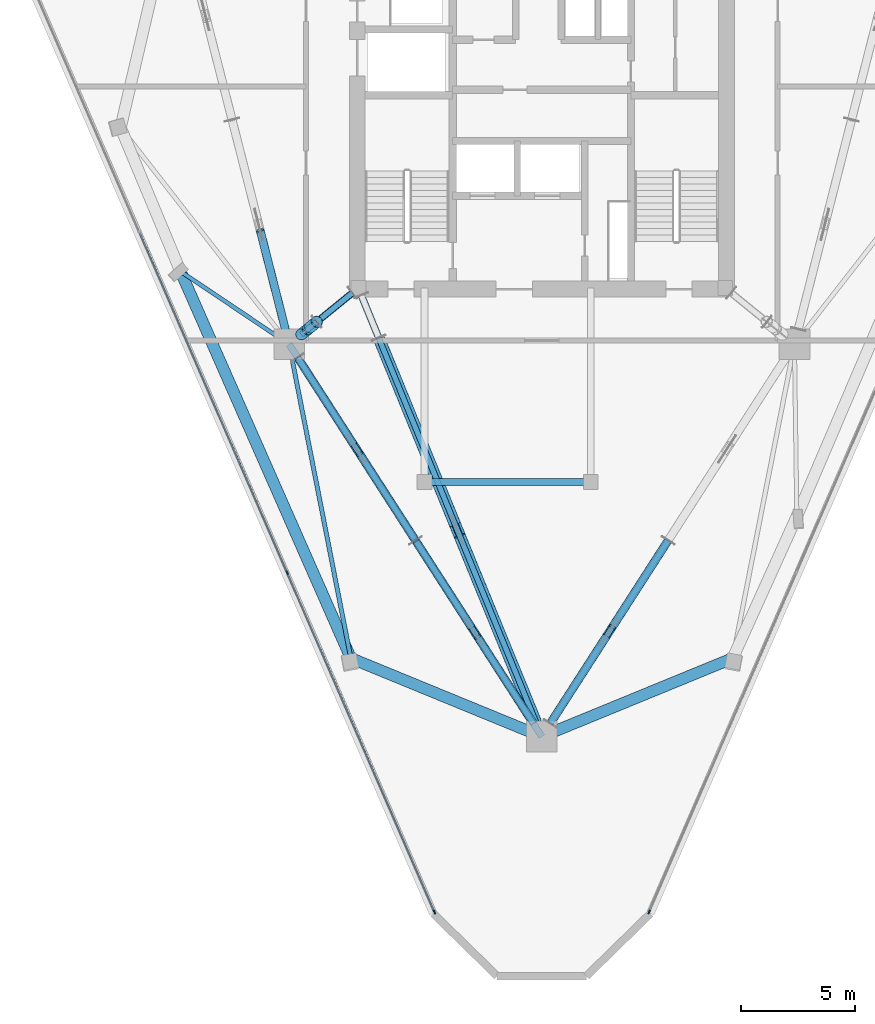
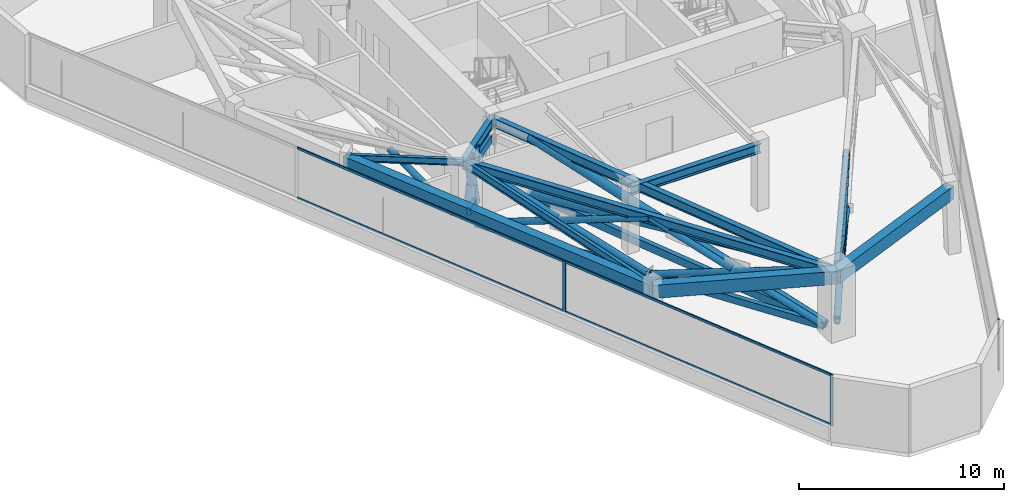
# One storey, part 2 of 12: 35 members, 9 beams, 2 elements without a shape of their own.
"""IFC4 building model written with IfcOpenShell, lengths in metres."""

from ifc_helpers import new_model, si_unit, direction, frame, origin, origin_2d, place, context, subcontext, project, spatial, rectangle, hollow_rectangle, hollow_circle, i_section, extrude, material, layer, layer_set, material_profile, profile_set, type_object, element, aggregate, save


model = new_model("IFC4")

# Units and contexts
model_context = context("Model", 3, precision=1e-05, world=origin(), true_north=direction((0.0, 1.0)))
body_context = subcontext(model_context, "Body", "Model", "MODEL_VIEW")
ifc_project = project(units=[si_unit("LENGTHUNIT", "METRE"), si_unit("AREAUNIT", "SQUARE_METRE"), si_unit("VOLUMEUNIT", "CUBIC_METRE"), si_unit("PLANEANGLEUNIT", "RADIAN"), si_unit("MASSUNIT", "GRAM", prefix="KILO")], contexts=[model_context])

# Site, building, storey
site_placement = place(None, origin())
site = spatial("IfcSite", under=ifc_project, at=site_placement, CompositionType="ELEMENT")
building_placement = place(site_placement, origin())
building = spatial("IfcBuilding", under=site, at=building_placement, Name="Talyreon Biosciences Tower", CompositionType="ELEMENT")
storey_placement = place(building_placement, frame((0.0, 0.0, 223.199951171875)))
storey = spatial("IfcBuildingStorey", under=building, at=storey_placement, Name="L59", CompositionType="ELEMENT", Elevation=223.199951171875)

# Members
ifc_material_1 = material(Name="Steel SM355", Category="steel")
ifc_material_profile_1 = material_profile(ifc_material_1, hollow_circle(Radius=0.177734375, WallThickness=0.01416015625, at=origin_2d()), Name="CHS 355.6x14.2")
ifc_profile_set_1 = profile_set([ifc_material_profile_1], Name="Steel SM355")
member_type_1 = type_object("IfcMemberType", Name="BeltBrace_CHS355", PredefinedType="BRACE", material=ifc_profile_set_1)
member_1_placement = place(storey_placement, frame((66.370849609375, 42.242919921875, 0.239990234375), z_axis=(0.51079794954, 0.793079757961, 0.3318281969), x_axis=(-0.840714795455, 0.541478192269, 0.0)))
element("IfcMember", 1, at=member_1_placement, inside=storey, type_object=member_type_1, Name="L59 Continuous Diagonal BELT-L59-B1S1A", PredefinedType="BRACE", context=body_context, shape_type="SweptSolid", body=[
    extrude(hollow_circle(Radius=0.177734375, WallThickness=0.01416015625, at=origin_2d()), origin(), (0.0, 0.0, 1.0), 10.1259765625),
])
for number, where, z_axis, x_axis, name in (
    (2, (71.543212890625, 50.273681640625, 0.239990234375), (-0.51079967438, -0.793074302073, 0.331838581308), (0.840712267338, -0.541482117478, 0.0), "L59 Split Diagonal BELT-L59-B1S1B-Lower"),
    (3, (68.81396484375, 46.0361328125, 2.012939453125), (-0.51079967438, -0.793074302073, 0.331838581308), (0.840712267338, -0.541482117478, 0.0), "L59 Split Diagonal BELT-L59-B1S1B-Upper"),
):
    element("IfcMember", number, at=place(storey_placement, frame(where, z_axis=z_axis, x_axis=x_axis)), inside=storey, type_object=member_type_1, Name=name, PredefinedType="BRACE", context=body_context, shape_type="SweptSolid", body=[
        extrude(hollow_circle(Radius=0.177734375, WallThickness=0.01416015625, at=origin_2d()), origin(), (0.0, 0.0, 1.0), 4.782958984375),
    ])
member_2_placement = place(storey_placement, frame((54.744873046875, 59.544189453125, 0.239990234375), z_axis=(-0.232390170682, 0.913533774404, 0.333842555097), x_axis=(-0.969134113213, -0.246534116519, 0.0)))
element("IfcMember", 4, at=member_2_placement, inside=storey, type_object=member_type_1, Name="L59 Split Diagonal BELT-L59-B5S2B-Lower", PredefinedType="BRACE", context=body_context, shape_type="SweptSolid", body=[
    extrude(hollow_circle(Radius=0.177734375, WallThickness=0.01416015625, at=origin_2d()), origin(), (0.0, 0.0, 1.0), 4.752685546875),
])
member_3_placement = place(storey_placement, frame((55.28466796875, 58.304443359375, 0.239990234375), z_axis=(0.510780129739, -0.793089525024, 0.331832283483), x_axis=(0.840726430295, 0.541460127251, 0.0)))
element("IfcMember", 5, at=member_3_placement, inside=storey, type_object=member_type_1, Name="L59 Continuous Diagonal BELT-L59-B6S1A", PredefinedType="BRACE", context=body_context, shape_type="SweptSolid", body=[
    extrude(hollow_circle(Radius=0.177734375, WallThickness=0.01416015625, at=origin_2d()), origin(), (0.0, 0.0, 1.0), 10.1259765625),
])
member_4_placement = place(storey_placement, frame((60.456787109375, 50.273681640625, 0.239990234375), z_axis=(-0.510761946942, 0.793094979976, 0.331847233367), x_axis=(-0.840736899873, -0.541443870768, 0.0)))
element("IfcMember", 6, at=member_4_placement, inside=storey, type_object=member_type_1, Name="L59 Split Diagonal BELT-L59-B6S1B-Lower", PredefinedType="BRACE", context=body_context, shape_type="SweptSolid", body=[
    extrude(hollow_circle(Radius=0.177734375, WallThickness=0.01416015625, at=origin_2d()), origin(), (0.0, 0.0, 1.0), 4.78271484375),
])
member_5_placement = place(storey_placement, frame((57.727783203125, 54.51123046875, 2.012939453125), z_axis=(-0.51079967438, 0.793074302073, 0.331838581308), x_axis=(-0.840712267338, -0.541482117478, 0.0)))
element("IfcMember", 7, at=member_5_placement, inside=storey, type_object=member_type_1, Name="L59 Split Diagonal BELT-L59-B6S1B-Upper", PredefinedType="BRACE", context=body_context, shape_type="SweptSolid", body=[
    extrude(hollow_circle(Radius=0.177734375, WallThickness=0.01416015625, at=origin_2d()), origin(), (0.0, 0.0, 1.0), 4.782958984375),
])
member_6_placement = place(storey_placement, frame((60.456787109375, 50.273681640625, 0.239990234375), z_axis=(0.51079794954, -0.793079757961, 0.3318281969), x_axis=(0.840714795455, 0.541478192269, 0.0)))
element("IfcMember", 8, at=member_6_placement, inside=storey, type_object=member_type_1, Name="L59 Continuous Diagonal BELT-L59-B6S2A", PredefinedType="BRACE", context=body_context, shape_type="SweptSolid", body=[
    extrude(hollow_circle(Radius=0.177734375, WallThickness=0.01416015625, at=origin_2d()), origin(), (0.0, 0.0, 1.0), 10.1259765625),
])
for number, where, z_axis, x_axis, name in (
    (9, (65.629150390625, 42.242919921875, 0.239990234375), (-0.51079967438, 0.793074302073, 0.331838581308), (-0.840712267338, -0.541482117478, 0.0), "L59 Split Diagonal BELT-L59-B6S2B-Lower"),
    (10, (62.89990234375, 46.48046875, 2.012939453125), (-0.51079967438, 0.793074302073, 0.331838581308), (-0.840712267338, -0.541482117478, 0.0), "L59 Split Diagonal BELT-L59-B6S2B-Upper"),
):
    element("IfcMember", number, at=place(storey_placement, frame(where, z_axis=z_axis, x_axis=x_axis)), inside=storey, type_object=member_type_1, Name=name, PredefinedType="BRACE", context=body_context, shape_type="SweptSolid", body=[
        extrude(hollow_circle(Radius=0.177734375, WallThickness=0.01416015625, at=origin_2d()), origin(), (0.0, 0.0, 1.0), 4.782958984375),
    ])
ifc_material_profile_2 = material_profile(ifc_material_1, hollow_rectangle(XDim=0.25, YDim=0.39990234375, WallThickness=0.01611328125, at=origin_2d()), Name="RHS 400x250x16")
ifc_profile_set_2 = profile_set([ifc_material_profile_2], Name="Steel SM355")
member_type_2 = type_object("IfcMemberType", Name="BeltChord_RHS400x250", PredefinedType="CHORD", material=ifc_profile_set_2)
for number, where, z_axis, x_axis, name in (
    (11, (66.370849609375, 42.242919921875, 0.239990234375), (0.541478192269, 0.840714795455, 0.0), (-0.840714795455, 0.541478192269, 0.0), "L59 Truss Bottom Chord BELT-L59-B1S1"),
    (12, (66.370849609375, 42.242919921875, 3.60009765625), (0.541478192269, 0.840714795455, 0.0), (-0.840714795455, 0.541478192269, 0.0), "L59 Truss Top Chord BELT-L59-B1S1"),
    (13, (55.28466796875, 58.304443359375, 0.239990234375), (0.541460127251, -0.840726430295, 0.0), (0.840726430295, 0.541460127251, 0.0), "L59 Truss Bottom Chord BELT-L59-B6S1"),
    (14, (55.28466796875, 58.304443359375, 3.60009765625), (0.541460127251, -0.840726430295, 0.0), (0.840726430295, 0.541460127251, 0.0), "L59 Truss Top Chord BELT-L59-B6S1"),
    (15, (60.456787109375, 50.273681640625, 0.239990234375), (0.541478192269, -0.840714795455, 0.0), (0.840714795455, 0.541478192269, 0.0), "L59 Truss Bottom Chord BELT-L59-B6S2"),
    (16, (60.456787109375, 50.273681640625, 3.60009765625), (0.541478192269, -0.840714795455, 0.0), (0.840714795455, 0.541478192269, 0.0), "L59 Truss Top Chord BELT-L59-B6S2"),
):
    element("IfcMember", number, at=place(storey_placement, frame(where, z_axis=z_axis, x_axis=x_axis)), inside=storey, type_object=member_type_2, Name=name, PredefinedType="CHORD", context=body_context, shape_type="SweptSolid", body=[
        extrude(hollow_rectangle(XDim=0.25, YDim=0.39990234375, WallThickness=0.01611328125, at=origin_2d()), origin(), (0.0, 0.0, 1.0), 9.55224609375),
    ])

# Curtain wall, members
ifc_material_2 = material(Name="Thermally broken aluminium and low-E glazing", Category="aluminium")
ifc_layer = layer(ifc_material_2, 0.179931640625)
ifc_layer_set = layer_set([ifc_layer], Name="Thermally broken aluminium and low-E glazing")
curtain_wall_type = type_object("IfcCurtainWallType", Name="CurtainWall_Zone4Optical", PredefinedType="NOTDEFINED", material=ifc_layer_set)
curtain_wall_1_placement = place(storey_placement, origin())
curtain_wall_1 = element("IfcCurtainWall", 17, at=curtain_wall_1_placement, inside=storey, type_object=curtain_wall_type, Name="L59 Unitised Curtain Wall FCW-L59-00", PredefinedType="NOTDEFINED")
ifc_material_3 = material(Name="Anodised thermally broken aluminium", Category="aluminium")
ifc_material_profile_3 = material_profile(ifc_material_3, rectangle(XDim=0.06494140625, YDim=0.179931640625, at=origin_2d()), Name="ALUM MULLION 65x180")
ifc_profile_set_3 = profile_set([ifc_material_profile_3], Name="Anodised thermally broken aluminium")
member_type_3 = type_object("IfcMemberType", Name="CWMullion_65x180", PredefinedType="MULLION", material=ifc_profile_set_3)
member_7_placement = place(storey_placement, frame((61.290283203125, 33.96142578125, 0.81005859375), z_axis=(0.0, 0.0, 1.0), x_axis=(-0.917336640876, -0.398112405366, 0.0)))
member_7 = element("IfcMember", 18, at=member_7_placement, type_object=member_type_3, Name="CW5 mullion 1", PredefinedType="MULLION", context=body_context, shape_type="SweptSolid", body=[
    extrude(rectangle(XDim=0.06494140625, YDim=0.179931640625, at=origin_2d()), origin(), (0.0, 0.0, 1.0), 3.0400390625),
])
member_8_placement = place(storey_placement, frame((54.824951171875, 48.85888671875, 0.81005859375), z_axis=(0.0, 0.0, 1.0), x_axis=(-0.917336640876, -0.398112405366, 0.0)))
member_8 = element("IfcMember", 19, at=member_8_placement, type_object=member_type_3, Name="CW5 mullion 2", PredefinedType="MULLION", context=body_context, shape_type="SweptSolid", body=[
    extrude(rectangle(XDim=0.06494140625, YDim=0.179931640625, at=origin_2d()), origin(), (0.0, 0.0, 1.0), 3.0400390625),
])

# Curtain wall, member
curtain_wall_2_placement = place(storey_placement, origin())
curtain_wall_2 = element("IfcCurtainWall", 20, at=curtain_wall_2_placement, inside=storey, type_object=curtain_wall_type, Name="L59 Unitised Curtain Wall FCW-L59-08", PredefinedType="NOTDEFINED")
member_9_placement = place(storey_placement, frame((70.709716796875, 33.96142578125, 0.81005859375), z_axis=(0.0, 0.0, 1.0), x_axis=(0.917336640876, -0.398112405366, 0.0)))
member_9 = element("IfcMember", 21, at=member_9_placement, type_object=member_type_3, Name="CW5 mullion 4", PredefinedType="MULLION", context=body_context, shape_type="SweptSolid", body=[
    extrude(rectangle(XDim=0.06494140625, YDim=0.179931640625, at=origin_2d()), origin(), (0.0, 0.0, 1.0), 3.0400390625),
])
aggregate(curtain_wall_2, [member_9])

# Member
ifc_material_profile_4 = material_profile(ifc_material_3, rectangle(XDim=0.06494140625, YDim=0.139892578125, at=origin_2d()), Name="ALUM TRANSOM 65x140")
ifc_profile_set_4 = profile_set([ifc_material_profile_4], Name="Anodised thermally broken aluminium")
member_type_4 = type_object("IfcMemberType", Name="CWTransom_65x140", PredefinedType="USERDEFINED", material=ifc_profile_set_4)
member_10_placement = place(storey_placement, frame((61.27734375, 33.9912109375, 0.842529296875), z_axis=(-0.398117802668, 0.917334298497, 0.0), x_axis=(-0.917334298497, -0.398117802668, 0.0)))
member_10 = element("IfcMember", 22, at=member_10_placement, type_object=member_type_4, Name="CW5 transom 1.1", ObjectType="TRANSOM", PredefinedType="USERDEFINED", context=body_context, shape_type="SweptSolid", body=[
    extrude(rectangle(XDim=0.06494140625, YDim=0.139892578125, at=origin_2d()), origin(), (0.0, 0.0, 1.0), 16.1748046875),
])

member_11_placement = place(storey_placement, frame((61.27734375, 33.9912109375, 3.817626953125), z_axis=(-0.398117802668, 0.917334298497, 0.0), x_axis=(-0.917334298497, -0.398117802668, 0.0)))
member_11 = element("IfcMember", 23, at=member_11_placement, type_object=member_type_4, Name="CW5 transom 1.2", ObjectType="TRANSOM", PredefinedType="USERDEFINED", context=body_context, shape_type="SweptSolid", body=[
    extrude(rectangle(XDim=0.06494140625, YDim=0.139892578125, at=origin_2d()), origin(), (0.0, 0.0, 1.0), 16.1748046875),
])

member_12_placement = place(storey_placement, frame((54.81201171875, 48.888671875, 0.842529296875), z_axis=(-0.398118470733, 0.91733400856, 0.0), x_axis=(-0.91733400856, -0.398118470733, 0.0)))
member_12 = element("IfcMember", 24, at=member_12_placement, type_object=member_type_4, Name="CW5 transom 2.1", ObjectType="TRANSOM", PredefinedType="USERDEFINED", context=body_context, shape_type="SweptSolid", body=[
    extrude(rectangle(XDim=0.06494140625, YDim=0.139892578125, at=origin_2d()), origin(), (0.0, 0.0, 1.0), 16.207275390625),
])

member_13_placement = place(storey_placement, frame((54.81201171875, 48.888671875, 3.817626953125), z_axis=(-0.398118470733, 0.91733400856, 0.0), x_axis=(-0.91733400856, -0.398118470733, 0.0)))
member_13 = element("IfcMember", 25, at=member_13_placement, type_object=member_type_4, Name="CW5 transom 2.2", ObjectType="TRANSOM", PredefinedType="USERDEFINED", context=body_context, shape_type="SweptSolid", body=[
    extrude(rectangle(XDim=0.06494140625, YDim=0.139892578125, at=origin_2d()), origin(), (0.0, 0.0, 1.0), 16.207275390625),
])

aggregate(curtain_wall_1, [member_7, member_8, member_10, member_11, member_12, member_13])

# Beams
ifc_material_4 = material(Name="Precast concrete C45/55", Category="concrete")
ifc_material_profile_5 = material_profile(ifc_material_4, rectangle(XDim=0.5, YDim=0.780029296875, at=origin_2d()), Name="RCB 500x780")
ifc_profile_set_5 = profile_set([ifc_material_profile_5], Name="Precast concrete C45/55")
beam_type_1 = type_object("IfcBeamType", Name="ExpressedSpandrel_500x780", PredefinedType="SPANDREL", material=ifc_profile_set_5)
beam_1_placement = place(storey_placement, frame((66.0, 41.6669921875, 3.4599609375), z_axis=(0.925151871538, 0.379597174107, 0.0), x_axis=(-0.379597174107, 0.925151871538, 0.0)))
element("IfcBeam", 26, at=beam_1_placement, inside=storey, type_object=beam_type_1, Name="L59 Expressed Horizontal Concrete Spandrel 01", PredefinedType="SPANDREL", context=body_context, shape_type="SweptSolid", body=[
    extrude(rectangle(XDim=0.5, YDim=0.780029296875, at=origin_2d()), origin(), (0.0, 0.0, 1.0), 9.0576171875),
])
beam_2_placement = place(storey_placement, frame((50.1435546875, 62.082275390625, 3.4599609375), z_axis=(0.403050410823, -0.915177778541, 0.0), x_axis=(0.915177778541, 0.403050410823, 0.0)))
element("IfcBeam", 27, at=beam_2_placement, inside=storey, type_object=beam_type_1, Name="L59 Expressed Horizontal Concrete Spandrel 11", PredefinedType="SPANDREL", context=body_context, shape_type="SweptSolid", body=[
    extrude(rectangle(XDim=0.5, YDim=0.780029296875, at=origin_2d()), origin(), (0.0, 0.0, 1.0), 18.550537109375),
])
beam_3_placement = place(storey_placement, frame((57.620361328125, 45.105224609375, 3.4599609375), z_axis=(0.925151871538, -0.379597174107, 0.0), x_axis=(0.379597174107, 0.925151871538, 0.0)))
element("IfcBeam", 28, at=beam_3_placement, inside=storey, type_object=beam_type_1, Name="L59 Expressed Horizontal Concrete Spandrel 12", PredefinedType="SPANDREL", context=body_context, shape_type="SweptSolid", body=[
    extrude(rectangle(XDim=0.5, YDim=0.780029296875, at=origin_2d()), origin(), (0.0, 0.0, 1.0), 9.0576171875),
])

# Members
ifc_material_profile_6 = material_profile(ifc_material_1, hollow_circle(Radius=0.25390625, WallThickness=0.02001953125, at=origin_2d()), Name="CHS 508x20")
ifc_profile_set_6 = profile_set([ifc_material_profile_6], Name="Steel SM355")
member_type_5 = type_object("IfcMemberType", Name="OutriggerBrace_CHS508", PredefinedType="BRACE", material=ifc_profile_set_6)
member_14_placement = place(storey_placement, frame((58.839599609375, 59.1748046875, 0.239990234375), z_axis=(0.372273868352, -0.910251554285, 0.181257482227), x_axis=(0.925583216307, 0.378544197803, 0.0)))
element("IfcMember", 29, at=member_14_placement, inside=storey, type_object=member_type_5, Name="L59 Continuous Diagonal OUT-L59-R1A", PredefinedType="BRACE", context=body_context, shape_type="SweptSolid", body=[
    extrude(hollow_circle(Radius=0.25390625, WallThickness=0.02001953125, at=origin_2d()), origin(), (0.0, 0.0, 1.0), 18.537841796875),
])
member_15_placement = place(storey_placement, frame((65.74072265625, 42.30078125, 0.239990234375), z_axis=(-0.372286079188, 0.910249920325, 0.181240607457), x_axis=(-0.925578627747, -0.378555417155, 0.0)))
element("IfcMember", 30, at=member_15_placement, inside=storey, type_object=member_type_5, Name="L59 Split Diagonal OUT-L59-R1B-Lower", PredefinedType="BRACE", context=body_context, shape_type="SweptSolid", body=[
    extrude(hollow_circle(Radius=0.25390625, WallThickness=0.02001953125, at=origin_2d()), origin(), (0.0, 0.0, 1.0), 8.98876953125),
])
member_16_placement = place(storey_placement, frame((62.185791015625, 50.992919921875, 1.970947265625), z_axis=(-0.372271886587, 0.910254467765, 0.181246920998), x_axis=(-0.925584346876, -0.378541433422, 0.0)))
element("IfcMember", 31, at=member_16_placement, inside=storey, type_object=member_type_5, Name="L59 Split Diagonal OUT-L59-R1B-Upper", PredefinedType="BRACE", context=body_context, shape_type="SweptSolid", body=[
    extrude(hollow_circle(Radius=0.25390625, WallThickness=0.02001953125, at=origin_2d()), origin(), (0.0, 0.0, 1.0), 8.988525390625),
])
member_17_placement = place(storey_placement, frame((56.126953125, 59.8671875, 0.239990234375), z_axis=(-0.196261172766, -0.159708232279, 0.967457922913), x_axis=(0.631178128643, -0.775637911607, 0.0)))
element("IfcMember", 32, at=member_17_placement, inside=storey, type_object=member_type_5, Name="L59 Continuous Diagonal OUT-L59-R6A", PredefinedType="BRACE", context=body_context, shape_type="SweptSolid", body=[
    extrude(hollow_circle(Radius=0.25390625, WallThickness=0.02001953125, at=origin_2d()), origin(), (0.0, 0.0, 1.0), 3.47314453125),
])
for number, where, z_axis, x_axis, name in (
    (33, (55.4453125, 59.3125, 0.239990234375), (0.196272633117, 0.159733406798, 0.967451441801), (-0.631215806219, 0.775607249824, 0.0), "L59 Split Diagonal OUT-L59-R6B-Lower"),
    (34, (55.841064453125, 59.634521484375, 2.19091796875), (0.196272633117, 0.159733406798, 0.967451441801), (-0.631215806219, 0.775607249824, 0.0), "L59 Split Diagonal OUT-L59-R6B-Upper"),
):
    element("IfcMember", number, at=place(storey_placement, frame(where, z_axis=z_axis, x_axis=x_axis)), inside=storey, type_object=member_type_5, Name=name, PredefinedType="BRACE", context=body_context, shape_type="SweptSolid", body=[
        extrude(hollow_circle(Radius=0.25390625, WallThickness=0.02001953125, at=origin_2d()), origin(), (0.0, 0.0, 1.0), 1.45654296875),
    ])
ifc_material_profile_7 = material_profile(ifc_material_1, hollow_rectangle(XDim=0.25, YDim=0.449951171875, WallThickness=0.01611328125, at=origin_2d()), Name="RHS 450x250x16")
ifc_profile_set_7 = profile_set([ifc_material_profile_7], Name="Steel SM355")
member_type_6 = type_object("IfcMemberType", Name="OutriggerChord_RHS450x250", PredefinedType="CHORD", material=ifc_profile_set_7)
for number, where, z_axis, x_axis, name in (
    (35, (58.839599609375, 59.1748046875, 0.239990234375), (0.378544197803, -0.925583216307, 0.0), (0.925583216307, 0.378544197803, 0.0), "L59 Truss Bottom Chord OUT-L59-R1"),
    (36, (58.839599609375, 59.1748046875, 3.60009765625), (0.378544197803, -0.925583216307, 0.0), (0.925583216307, 0.378544197803, 0.0), "L59 Truss Top Chord OUT-L59-R1"),
):
    element("IfcMember", number, at=place(storey_placement, frame(where, z_axis=z_axis, x_axis=x_axis)), inside=storey, type_object=member_type_6, Name=name, PredefinedType="CHORD", context=body_context, shape_type="SweptSolid", body=[
        extrude(hollow_rectangle(XDim=0.25, YDim=0.449951171875, WallThickness=0.01611328125, at=origin_2d()), origin(), (0.0, 0.0, 1.0), 18.230712890625),
    ])
for number, where, z_axis, x_axis, name in (
    (37, (57.690185546875, 61.138671875, 3.60009765625), (-0.77578405512, -0.63099849431, 0.0), (0.63099849431, -0.77578405512, 0.0), "L59 Outrigger Core Top Tie 6"),
    (38, (57.690185546875, 61.138671875, 2.699951171875), (-0.77578405512, -0.63099849431, 0.0), (0.63099849431, -0.77578405512, 0.0), "L59 Outrigger Core Plenum Tie 6"),
):
    element("IfcMember", number, at=place(storey_placement, frame(where, z_axis=z_axis, x_axis=x_axis)), inside=storey, type_object=member_type_6, Name=name, PredefinedType="CHORD", context=body_context, shape_type="SweptSolid", body=[
        extrude(hollow_rectangle(XDim=0.25, YDim=0.449951171875, WallThickness=0.01611328125, at=origin_2d()), origin(), (0.0, 0.0, 1.0), 2.01513671875),
    ])
for number, where, z_axis, x_axis, name in (
    (39, (56.126953125, 59.8671875, 0.239990234375), (-0.775637911607, -0.631178128643, 0.0), (0.631178128643, -0.775637911607, 0.0), "L59 Truss Bottom Chord OUT-L59-R6"),
    (40, (56.126953125, 59.8671875, 3.60009765625), (-0.775637911607, -0.631178128643, 0.0), (0.631178128643, -0.775637911607, 0.0), "L59 Truss Top Chord OUT-L59-R6"),
):
    element("IfcMember", number, at=place(storey_placement, frame(where, z_axis=z_axis, x_axis=x_axis)), inside=storey, type_object=member_type_6, Name=name, PredefinedType="CHORD", context=body_context, shape_type="SweptSolid", body=[
        extrude(hollow_rectangle(XDim=0.25, YDim=0.449951171875, WallThickness=0.01611328125, at=origin_2d()), origin(), (0.0, 0.0, 1.0), 0.87890625),
    ])

# Beams
ifc_material_profile_8 = material_profile(ifc_material_1, i_section(OverallWidth=0.300048828125, OverallDepth=0.550048828125, WebThickness=0.014892578125, FlangeThickness=0.029052734375, FilletRadius=0.027099609375, at=origin_2d()), Name="HE550B")
ifc_profile_set_8 = profile_set([ifc_material_profile_8], Name="Steel SM355")
beam_type_2 = type_object("IfcBeamType", Name="SteelBeam_HE550B", PredefinedType="BEAM", material=ifc_profile_set_8)
beam_4_placement = place(storey_placement, frame((54.913818359375, 58.88037109375, 3.574951171875), z_axis=(0.541463723609, -0.840724114092, 0.0), x_axis=(0.840724114092, 0.541463723609, 0.0)))
element("IfcBeam", 41, at=beam_4_placement, inside=storey, type_object=beam_type_2, Name="L59 Mega-Ring Girder 6", PredefinedType="BEAM", context=body_context, shape_type="SweptSolid", body=[
    extrude(i_section(OverallWidth=0.300048828125, OverallDepth=0.550048828125, WebThickness=0.014892578125, FlangeThickness=0.029052734375, FilletRadius=0.027099609375, at=origin_2d()), origin(), (0.0, 0.0, 1.0), 20.474365234375),
])
beam_5_placement = place(storey_placement, frame((57.949951171875, 61.35009765625, 3.574951171875), z_axis=(0.378547014545, -0.925582064314, 0.0), x_axis=(0.925582064314, 0.378547014545, 0.0)))
element("IfcBeam", 42, at=beam_5_placement, inside=storey, type_object=beam_type_2, Name="L59 Radial Primary Girder 1", PredefinedType="BEAM", context=body_context, shape_type="SweptSolid", body=[
    extrude(i_section(OverallWidth=0.300048828125, OverallDepth=0.550048828125, WebThickness=0.014892578125, FlangeThickness=0.029052734375, FilletRadius=0.027099609375, at=origin_2d()), origin(), (0.0, 0.0, 1.0), 21.265625),
])
beam_6_placement = place(storey_placement, frame((57.949951171875, 61.35009765625, 3.574951171875), z_axis=(-0.775755154013, -0.631034025249, 0.0), x_axis=(0.631034025249, -0.775755154013, 0.0)))
element("IfcBeam", 43, at=beam_6_placement, inside=storey, type_object=beam_type_2, Name="L59 Radial Primary Girder 6", PredefinedType="BEAM", context=body_context, shape_type="SweptSolid", body=[
    extrude(i_section(OverallWidth=0.300048828125, OverallDepth=0.550048828125, WebThickness=0.014892578125, FlangeThickness=0.029052734375, FilletRadius=0.027099609375, at=origin_2d()), origin(), (0.0, 0.0, 1.0), 3.913818359375),
])
beam_7_placement = place(storey_placement, frame((60.85009765625, 52.840087890625, 3.574951171875), z_axis=(1.0, 0.0, 0.0), x_axis=(0.0, 1.0, 0.0)))
element("IfcBeam", 44, at=beam_7_placement, inside=storey, type_object=beam_type_2, Name="L59 Crown Shaft Spine Girder S", PredefinedType="BEAM", context=body_context, shape_type="SweptSolid", body=[
    extrude(i_section(OverallWidth=0.300048828125, OverallDepth=0.550048828125, WebThickness=0.014892578125, FlangeThickness=0.029052734375, FilletRadius=0.027099609375, at=origin_2d()), origin(), (0.0, 0.0, 1.0), 7.2998046875),
])
ifc_material_profile_9 = material_profile(ifc_material_1, i_section(OverallWidth=0.179931640625, OverallDepth=0.39990234375, WebThickness=0.008544921875, FlangeThickness=0.013427734375, FilletRadius=0.02099609375, at=origin_2d()), Name="IPE400")
ifc_profile_set_9 = profile_set([ifc_material_profile_9], Name="Steel SM355")
beam_type_3 = type_object("IfcBeamType", Name="SteelJoist_IPE400", PredefinedType="JOIST", material=ifc_profile_set_9)
beam_8_placement = place(storey_placement, frame((54.913818359375, 58.88037109375, 3.650146484375), z_axis=(-0.830300630077, 0.557315766593, 0.0), x_axis=(-0.557315766593, -0.830300630077, 0.0)))
element("IfcBeam", 45, at=beam_8_placement, inside=storey, type_object=beam_type_3, Name="L59 Radial Composite Floor Joist PL-SW", PredefinedType="JOIST", context=body_context, shape_type="SweptSolid", body=[
    extrude(i_section(OverallWidth=0.179931640625, OverallDepth=0.39990234375, WebThickness=0.008544921875, FlangeThickness=0.013427734375, FilletRadius=0.02099609375, at=origin_2d()), origin(), (0.0, 0.0, 1.0), 5.7451171875),
])
ifc_material_profile_10 = material_profile(ifc_material_1, i_section(OverallWidth=0.18994140625, OverallDepth=0.449951171875, WebThickness=0.009521484375, FlangeThickness=0.0146484375, FilletRadius=0.02099609375, at=origin_2d()), Name="IPE450")
ifc_profile_set_10 = profile_set([ifc_material_profile_10], Name="Steel SM355")
beam_type_4 = type_object("IfcBeamType", Name="SteelJoist_IPE450", PredefinedType="JOIST", material=ifc_profile_set_10)
beam_9_placement = place(storey_placement, frame((54.913818359375, 58.88037109375, 3.625), z_axis=(0.192794042793, -0.981239245579, 0.0), x_axis=(0.981239245579, 0.192794042793, 0.0)))
element("IfcBeam", 46, at=beam_9_placement, inside=storey, type_object=beam_type_4, Name="L59 Radial Composite Floor Joist PC-SW2", PredefinedType="JOIST", context=body_context, shape_type="SweptSolid", body=[
    extrude(i_section(OverallWidth=0.18994140625, OverallDepth=0.449951171875, WebThickness=0.009521484375, FlangeThickness=0.0146484375, FilletRadius=0.02099609375, at=origin_2d()), origin(), (0.0, 0.0, 1.0), 14.03857421875),
])

save(model, "model.ifc")
